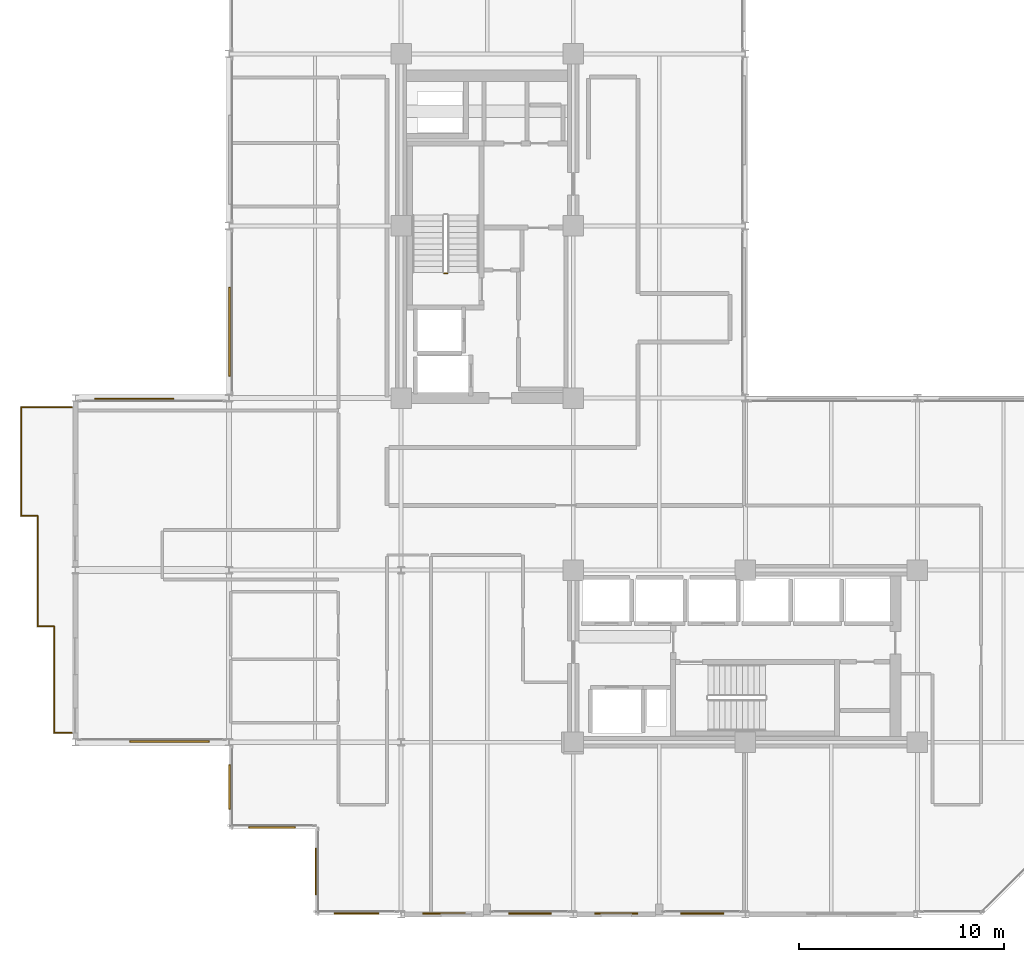
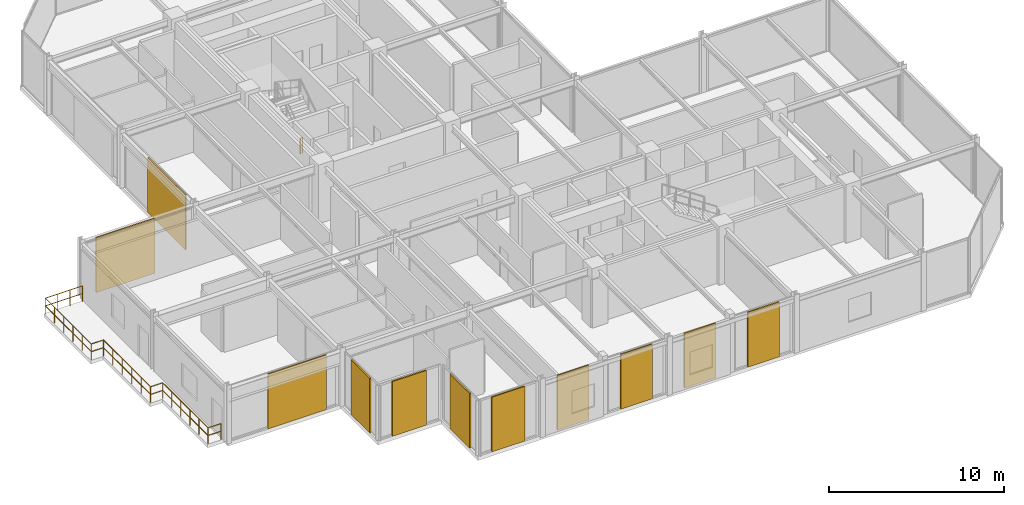
# One storey, part 27 of 29: 11 coverings, 8 railings.
"""IFC4 building model written with IfcOpenShell, lengths in metres."""

import ifcopenshell
import ifcopenshell.guid

model = None  # the IFC model being written
_history = None  # IfcOwnerHistory: only IFC2X3 demands one
_inside = {}  # id of a spatial element -> (the spatial element, [elements in it])
_under = {}  # id of a project, library or spatial element -> (it, [spatial elements below it])
_declared = {}  # id of a project -> (the project, [libraries it declares])
_typed = {}  # id of a type object -> (the type object, [elements of that type])
_made_of = {}  # id of a material, layer set ... -> (it, [elements and type objects made of it])


def new_model(schema):
    """Start an empty IFC model of exactly this schema.

    Asked for "IFC4X3", IfcOpenShell would pick the latest addendum, in which some entities
    have other attributes; the version numbers below select the first issue.
    IFC2X3 requires an IfcOwnerHistory on every rooted entity: one is made here for all.
    """
    global model, _history
    if schema == "IFC4X3":
        model = ifcopenshell.file(schema_version=(4, 3, 0, 0))
    else:
        model = ifcopenshell.file(schema=schema)
    _inside.clear()
    _under.clear()
    _declared.clear()
    _typed.clear()
    _made_of.clear()
    _history = None
    if model.schema == "IFC2X3":
        org = make("IfcOrganization", Name="unknown")
        user = make(
            "IfcPersonAndOrganization",
            ThePerson=make("IfcPerson", FamilyName="unknown"),
            TheOrganization=org,
        )
        app = make(
            "IfcApplication",
            ApplicationDeveloper=org,
            Version="unknown",
            ApplicationFullName="unknown",
            ApplicationIdentifier="unknown",
        )
        _history = make(
            "IfcOwnerHistory",
            OwningUser=user,
            OwningApplication=app,
            ChangeAction="ADDED",
            CreationDate=0,
        )
    return model


def make(cls, **values):
    """One entity of the class cls with the attributes given. An attribute that is None is left unset."""
    return model.create_entity(
        cls, **{name: value for name, value in values.items() if value is not None}
    )


def rooted(cls, **values):
    """An entity with a GlobalId (a new one), such as an element, a storey or a relation."""
    return make(cls, GlobalId=ifcopenshell.guid.new(), OwnerHistory=_history, **values)


def si_unit(unit_type, name, prefix=None):
    """IfcSIUnit, for example si_unit("LENGTHUNIT", "METRE", prefix="MILLI")."""
    return make("IfcSIUnit", UnitType=unit_type, Prefix=prefix, Name=name)


def assignment(units):
    """IfcUnitAssignment: the units of a project."""
    return None if units is None else make("IfcUnitAssignment", Units=units)


def point(xyz):
    """IfcCartesianPoint."""
    return None if xyz is None else make("IfcCartesianPoint", Coordinates=xyz)


def direction(xyz):
    """IfcDirection."""
    return None if xyz is None else make("IfcDirection", DirectionRatios=xyz)


def frame(location, z_axis=None, x_axis=None):
    """IfcAxis2Placement3D, a coordinate frame: its origin and axes. An axis left out is left unset."""
    return make(
        "IfcAxis2Placement3D",
        Location=point(location),
        Axis=direction(z_axis),
        RefDirection=direction(x_axis),
    )


def frame_2d(location, x_axis=None):
    """IfcAxis2Placement2D, a coordinate frame in the plane: its origin and x axis."""
    return make(
        "IfcAxis2Placement2D", Location=point(location), RefDirection=direction(x_axis)
    )


def origin():
    """The frame at (0, 0, 0) with its axes left unset."""
    return frame((0.0, 0.0, 0.0))


def origin_2d():
    """The frame at (0, 0) in the plane with its x axis left unset."""
    return frame_2d((0.0, 0.0))


def place(relative_to, where):
    """IfcLocalPlacement: puts the frame where relative to a parent placement (None: the world)."""
    return make(
        "IfcLocalPlacement", PlacementRelTo=relative_to, RelativePlacement=where
    )


def context(
    kind, dimensions, precision=None, world=None, true_north=None, identifier=None
):
    """IfcGeometricRepresentationContext, for example the 3D "Model" context."""
    return make(
        "IfcGeometricRepresentationContext",
        ContextIdentifier=identifier,
        ContextType=kind,
        CoordinateSpaceDimension=dimensions,
        Precision=precision,
        WorldCoordinateSystem=world,
        TrueNorth=true_north,
    )


def subcontext(parent, identifier, kind, view, scale=None):
    """IfcGeometricRepresentationSubContext, for example "Body" below "Model"."""
    return make(
        "IfcGeometricRepresentationSubContext",
        ContextIdentifier=identifier,
        ContextType=kind,
        ParentContext=parent,
        TargetScale=scale,
        TargetView=view,
    )


def project(units=None, contexts=None):
    """IfcProject with its units and contexts."""
    return rooted(
        "IfcProject",
        Name="project",
        RepresentationContexts=contexts,
        UnitsInContext=assignment(units),
    )


def spatial(cls, under=None, at=None, **own):
    """A site, building, storey or space (cls), placed at a placement, below another one or the project."""
    s = rooted(cls, ObjectPlacement=at, **own)
    if under is not None:
        _under.setdefault(under.id(), (under, []))[1].append(s)
    return s


def profile(cls, at=None, kind="AREA", **sizes):
    """A parametric profile (cls). Its sizes go by their IFC names, for example OverallWidth=200.0."""
    return make(cls, ProfileType=kind, Position=at, **sizes)


def rectangle(**sizes):
    """IfcRectangleProfileDef."""
    return profile("IfcRectangleProfileDef", **sizes)


def circle(**sizes):
    """IfcCircleProfileDef."""
    return profile("IfcCircleProfileDef", **sizes)


def extrude(swept, where, along, depth):
    """IfcExtrudedAreaSolid: the profile swept, set in the frame where, extruded along a direction by depth."""
    return make(
        "IfcExtrudedAreaSolid",
        SweptArea=swept,
        Position=where,
        ExtrudedDirection=direction(along),
        Depth=depth,
    )


def shape(context_of_items, identifier, shape_type, items):
    """IfcShapeRepresentation: the items that make up one representation, for example the "Body"."""
    return make(
        "IfcShapeRepresentation",
        ContextOfItems=context_of_items,
        RepresentationIdentifier=identifier,
        RepresentationType=shape_type,
        Items=items,
    )


def material(Name=None, Category=None):
    """IfcMaterial."""
    return make("IfcMaterial", Name=Name, Category=Category)


def layer(
    of_material, thickness, ventilated=None, Name=None, Category=None, Priority=None
):
    """IfcMaterialLayer: one layer of a wall or slab, of a material (None: an air gap)."""
    return make(
        "IfcMaterialLayer",
        Material=of_material,
        LayerThickness=thickness,
        IsVentilated=ventilated,
        Name=Name,
        Category=Category,
        Priority=Priority,
    )


def layer_set(layers, Name=None):
    """IfcMaterialLayerSet."""
    return make("IfcMaterialLayerSet", MaterialLayers=layers, LayerSetName=Name)


def made_of(thing, what):
    """Note that an element or type object is made of a material, layer set ...; save() writes the relation."""
    if what is not None:
        _made_of.setdefault(what.id(), (what, []))[1].append(thing)
    return thing


def type_object(cls, material=None, **own):
    """A type object (cls), such as IfcWallType, which elements share."""
    return made_of(rooted(cls, **own), material)


def element(
    cls,
    number,
    at=None,
    inside=None,
    cuts=None,
    type_object=None,
    material=None,
    context=None,
    identifier="Body",
    shape_type=None,
    held_by="IfcProductDefinitionShape",
    body=None,
    shapes=None,
    **own,
):
    """One element of the class cls, such as IfcWall. Its Tag is "e" and its number.

    at: its placement. inside: the storey or other place that contains it. cuts: it is an
    opening in that element (IfcRelVoidsElement). A single representation is given by context,
    identifier, shape_type and body (its items); several are given by shapes. held_by: the class
    of the entity that holds the representations. save() writes the other relations.
    """
    e = rooted(cls, Tag="e%d" % number, ObjectPlacement=at, **own)
    if body is not None:
        shapes = [shape(context, identifier, shape_type, body)]
    if shapes is not None:
        e.Representation = make(held_by, Representations=shapes)
    if inside is not None:
        _inside.setdefault(inside.id(), (inside, []))[1].append(e)
    if cuts is not None:
        rooted(
            "IfcRelVoidsElement", RelatingBuildingElement=cuts, RelatedOpeningElement=e
        )
    if type_object is not None:
        _typed.setdefault(type_object.id(), (type_object, []))[1].append(e)
    return made_of(e, material)


def aggregate(whole, parts):
    """IfcRelAggregates: a whole, such as a stair, and the parts it consists of."""
    return rooted("IfcRelAggregates", RelatingObject=whole, RelatedObjects=parts)


def save(model, path):
    """Write the relations noted so far, then the file.

    IfcRelAggregates (storeys below a building ...), IfcRelContainedInSpatialStructure (elements
    in a storey), IfcRelDefinesByType, IfcRelAssociatesMaterial and IfcRelDeclares: one each for
    every whole, place, type object, material and project.
    """
    for whole, parts in _under.values():
        aggregate(whole, parts)
    for where, things in _inside.values():
        rooted(
            "IfcRelContainedInSpatialStructure",
            RelatedElements=things,
            RelatingStructure=where,
        )
    for kind, things in _typed.values():
        rooted("IfcRelDefinesByType", RelatedObjects=things, RelatingType=kind)
    for what, things in _made_of.values():
        rooted("IfcRelAssociatesMaterial", RelatedObjects=things, RelatingMaterial=what)
    for by, libraries in _declared.values():
        rooted("IfcRelDeclares", RelatingContext=by, RelatedDefinitions=libraries)
    model.write(path)


model = new_model("IFC4")

# Units and contexts
model_context = context("Model", 3, precision=1e-05, world=origin(), true_north=direction((0.0, 1.0)))
body_context = subcontext(model_context, "Body", "Model", "MODEL_VIEW")
ifc_project = project(units=[si_unit("LENGTHUNIT", "METRE"), si_unit("AREAUNIT", "SQUARE_METRE"), si_unit("VOLUMEUNIT", "CUBIC_METRE"), si_unit("PLANEANGLEUNIT", "RADIAN"), si_unit("MASSUNIT", "GRAM", prefix="KILO")], contexts=[model_context])

# Site, building, storey
site_placement = place(None, origin())
site = spatial("IfcSite", under=ifc_project, at=site_placement, CompositionType="ELEMENT")
building_placement = place(site_placement, origin())
building = spatial("IfcBuilding", under=site, at=building_placement, Name="Nerrivon Quay Data Exchange", CompositionType="ELEMENT")
storey_placement = place(building_placement, frame((0.0, 0.0, 183.699951171875)))
storey = spatial("IfcBuildingStorey", under=building, at=storey_placement, Name="L43", CompositionType="ELEMENT", Elevation=183.699951171875)

# Coverings
ifc_material_1 = material(Name="Architectural terracotta ceramic", Category="masonry")
ifc_layer = layer(ifc_material_1, 0.090087890625)
ifc_layer_set = layer_set([ifc_layer], Name="Architectural terracotta ceramic")
covering_type = type_object("IfcCoveringType", Name="COV-SCR-TERR", PredefinedType="CLADDING", material=ifc_layer_set)
covering_1_placement = place(storey_placement, frame((-4.6201171875, 25.155029296875, 0.0), z_axis=(0.0, 0.0, 1.0), x_axis=(1.0, 0.0, 0.0)))
element("IfcCovering", 1, at=covering_1_placement, inside=storey, type_object=covering_type, Name="L43 Perforated Terracotta SOLAR SCREEN Cassette", PredefinedType="CLADDING", context=body_context, shape_type="SweptSolid", body=[
    extrude(rectangle(XDim=3.8720703125, YDim=0.090087890625, at=origin_2d()), origin(), (0.0, 0.0, 1.0), 3.824951171875),
])
covering_2_placement = place(storey_placement, frame((0.044921875, 28.43408203125, 0.0), z_axis=(0.0, 0.0, 1.0), x_axis=(0.0, 1.0, 0.0)))
element("IfcCovering", 2, at=covering_2_placement, inside=storey, type_object=covering_type, Name="L43 Perforated Terracotta SOLAR SCREEN Cassette", PredefinedType="CLADDING", context=body_context, shape_type="SweptSolid", body=[
    extrude(rectangle(XDim=4.346923828125, YDim=0.090087890625, at=origin_2d()), origin(), (0.0, 0.0, 1.0), 3.824951171875),
])
for number, where, z_axis, x_axis, name in (
    (3, (23.10009765625, 0.044921875, 0.0), (0.0, 0.0, 1.0), (-1.0, 0.0, 0.0), "L43 Perforated Terracotta SOLAR SCREEN Cassette"),
    (4, (18.89990234375, 0.044921875, 0.0), (0.0, 0.0, 1.0), (-1.0, 0.0, 0.0), "L43 Perforated Terracotta SOLAR SCREEN Cassette"),
    (5, (14.699951171875, 0.044921875, 0.0), (0.0, 0.0, 1.0), (-1.0, 0.0, 0.0), "L43 Perforated Terracotta SOLAR SCREEN Cassette"),
    (6, (10.5, 0.044921875, 0.0), (0.0, 0.0, 1.0), (-1.0, 0.0, 0.0), "L43 Perforated Terracotta SOLAR SCREEN Cassette"),
):
    element("IfcCovering", number, at=place(storey_placement, frame(where, z_axis=z_axis, x_axis=x_axis)), inside=storey, type_object=covering_type, Name=name, PredefinedType="CLADDING", context=body_context, shape_type="SweptSolid", body=[
        extrude(rectangle(XDim=2.0791015625, YDim=0.090087890625, at=origin_2d()), origin(), (0.0, 0.0, 1.0), 3.824951171875),
    ])
covering_3_placement = place(storey_placement, frame((6.21240234375, 0.044921875, 0.0), z_axis=(0.0, 0.0, 1.0), x_axis=(-1.0, 0.0, 0.0)))
element("IfcCovering", 7, at=covering_3_placement, inside=storey, type_object=covering_type, Name="L43 Perforated Terracotta SOLAR SCREEN Cassette", PredefinedType="CLADDING", context=body_context, shape_type="SweptSolid", body=[
    extrude(rectangle(XDim=2.173095703125, YDim=0.090087890625, at=origin_2d()), origin(), (0.0, 0.0, 1.0), 3.824951171875),
])
for number, where, z_axis, x_axis, name in (
    (8, (4.2451171875, 2.10009765625, 0.0), (0.0, 0.0, 1.0), (0.0, 1.0, 0.0), "L43 Perforated Terracotta SOLAR SCREEN Cassette"),
    (9, (2.10009765625, 4.2451171875, 0.0), (0.0, 0.0, 1.0), (-1.0, 0.0, 0.0), "L43 Perforated Terracotta SOLAR SCREEN Cassette"),
):
    element("IfcCovering", number, at=place(storey_placement, frame(where, z_axis=z_axis, x_axis=x_axis)), inside=storey, type_object=covering_type, Name=name, PredefinedType="CLADDING", context=body_context, shape_type="SweptSolid", body=[
        extrude(rectangle(XDim=2.26806640625, YDim=0.090087890625, at=origin_2d()), origin(), (0.0, 0.0, 1.0), 3.824951171875),
    ])
covering_4_placement = place(storey_placement, frame((0.044921875, 6.21240234375, 0.0), z_axis=(0.0, 0.0, 1.0), x_axis=(0.0, 1.0, 0.0)))
element("IfcCovering", 10, at=covering_4_placement, inside=storey, type_object=covering_type, Name="L43 Perforated Terracotta SOLAR SCREEN Cassette", PredefinedType="CLADDING", context=body_context, shape_type="SweptSolid", body=[
    extrude(rectangle(XDim=2.173095703125, YDim=0.090087890625, at=origin_2d()), origin(), (0.0, 0.0, 1.0), 3.824951171875),
])
covering_5_placement = place(storey_placement, frame((-2.8994140625, 8.445068359375, 0.0), z_axis=(0.0, 0.0, 1.0), x_axis=(-1.0, 0.0, 0.0)))
element("IfcCovering", 11, at=covering_5_placement, inside=storey, type_object=covering_type, Name="L43 Perforated Terracotta SOLAR SCREEN Cassette", PredefinedType="CLADDING", context=body_context, shape_type="SweptSolid", body=[
    extrude(rectangle(XDim=3.8720703125, YDim=0.090087890625, at=origin_2d()), origin(), (0.0, 0.0, 1.0), 3.824951171875),
])

# Railings
ifc_material_2 = material(Name="Steel Grade C350L0 (350 MPa)", Category="steel")
railing_type_1 = type_object("IfcRailingType", Name="RAIL-GUARD-GR2", PredefinedType="BALUSTRADE", material=ifc_material_2)
railing_1_placement = place(storey_placement, frame((-7.679931640625, 8.860107421875, 0.0)))
element("IfcRailing", 12, at=railing_1_placement, inside=storey, type_object=railing_type_1, Name="L43 Verandah Balcony Guard 1.1 1", PredefinedType="BALUSTRADE", context=body_context, shape_type="SweptSolid", body=[
    extrude(circle(Radius=0.02392578125, at=origin_2d()), frame((0.0, 0.0, 1.09619140625), z_axis=(-1.0, 0.0, 0.0), x_axis=(0.0, -1.0, 0.0)), (0.0, 0.0, 1.0), 0.860107421875),
    extrude(circle(Radius=0.02392578125, at=origin_2d()), frame((0.0, 0.0, 0.56005859375), z_axis=(-1.0, 0.0, 0.0), x_axis=(0.0, -1.0, 0.0)), (0.0, 0.0, 1.0), 0.860107421875),
    extrude(circle(Radius=0.02099609375, at=origin_2d()), origin(), (0.0, 0.0, 1.0), 1.072021484375),
    extrude(circle(Radius=0.02099609375, at=origin_2d()), frame((-0.860107421875, 0.0, 0.0)), (0.0, 0.0, 1.0), 1.072021484375),
])
railing_2_placement = place(storey_placement, frame((-8.5400390625, 8.860107421875, 0.0)))
element("IfcRailing", 13, at=railing_2_placement, inside=storey, type_object=railing_type_1, Name="L43 Verandah Balcony Guard 1.2 1", PredefinedType="BALUSTRADE", context=body_context, shape_type="SweptSolid", body=[
    extrude(circle(Radius=0.02392578125, at=origin_2d()), frame((0.0, 0.0, 1.09619140625), z_axis=(0.0, 1.0, 0.0), x_axis=(-1.0, 0.0, 0.0)), (0.0, 0.0, 1.0), 5.199951171875),
    extrude(circle(Radius=0.02392578125, at=origin_2d()), frame((0.0, 0.0, 0.56005859375), z_axis=(0.0, 1.0, 0.0), x_axis=(-1.0, 0.0, 0.0)), (0.0, 0.0, 1.0), 5.199951171875),
    extrude(circle(Radius=0.02099609375, at=origin_2d()), origin(), (0.0, 0.0, 1.0), 1.072021484375),
    extrude(circle(Radius=0.02099609375, at=origin_2d()), frame((0.0, 1.0400390625, 0.0)), (0.0, 0.0, 1.0), 1.072021484375),
    extrude(circle(Radius=0.02099609375, at=origin_2d()), frame((0.0, 2.080078125, 0.0)), (0.0, 0.0, 1.0), 1.072021484375),
    extrude(circle(Radius=0.02099609375, at=origin_2d()), frame((0.0, 3.119873046875, 0.0)), (0.0, 0.0, 1.0), 1.072021484375),
    extrude(circle(Radius=0.02099609375, at=origin_2d()), frame((0.0, 4.159912109375, 0.0)), (0.0, 0.0, 1.0), 1.072021484375),
    extrude(circle(Radius=0.02099609375, at=origin_2d()), frame((0.0, 5.199951171875, 0.0)), (0.0, 0.0, 1.0), 1.072021484375),
])
railing_3_placement = place(storey_placement, frame((-8.5400390625, 14.06005859375, 0.0)))
element("IfcRailing", 14, at=railing_3_placement, inside=storey, type_object=railing_type_1, Name="L43 Verandah Balcony Guard 1.3 1", PredefinedType="BALUSTRADE", context=body_context, shape_type="SweptSolid", body=[
    extrude(circle(Radius=0.02392578125, at=origin_2d()), frame((0.0, 0.0, 1.09619140625), z_axis=(-1.0, 0.0, 0.0), x_axis=(0.0, -1.0, 0.0)), (0.0, 0.0, 1.0), 0.800048828125),
    extrude(circle(Radius=0.02392578125, at=origin_2d()), frame((0.0, 0.0, 0.56005859375), z_axis=(-1.0, 0.0, 0.0), x_axis=(0.0, -1.0, 0.0)), (0.0, 0.0, 1.0), 0.800048828125),
    extrude(circle(Radius=0.02099609375, at=origin_2d()), origin(), (0.0, 0.0, 1.0), 1.072021484375),
    extrude(circle(Radius=0.02099609375, at=origin_2d()), frame((-0.800048828125, 0.0, 0.0)), (0.0, 0.0, 1.0), 1.072021484375),
])
railing_4_placement = place(storey_placement, frame((-9.340087890625, 14.06005859375, 0.0)))
element("IfcRailing", 15, at=railing_4_placement, inside=storey, type_object=railing_type_1, Name="L43 Verandah Balcony Guard 1.4 1", PredefinedType="BALUSTRADE", context=body_context, shape_type="SweptSolid", body=[
    extrude(circle(Radius=0.02392578125, at=origin_2d()), frame((0.0, 0.0, 1.09619140625), z_axis=(0.0, 1.0, 0.0), x_axis=(-1.0, 0.0, 0.0)), (0.0, 0.0, 1.0), 5.39990234375),
    extrude(circle(Radius=0.02392578125, at=origin_2d()), frame((0.0, 0.0, 0.56005859375), z_axis=(0.0, 1.0, 0.0), x_axis=(-1.0, 0.0, 0.0)), (0.0, 0.0, 1.0), 5.39990234375),
    extrude(circle(Radius=0.02099609375, at=origin_2d()), origin(), (0.0, 0.0, 1.0), 1.072021484375),
    extrude(circle(Radius=0.02099609375, at=origin_2d()), frame((0.0, 1.080078125, 0.0)), (0.0, 0.0, 1.0), 1.072021484375),
    extrude(circle(Radius=0.02099609375, at=origin_2d()), frame((0.0, 2.159912109375, 0.0)), (0.0, 0.0, 1.0), 1.072021484375),
    extrude(circle(Radius=0.02099609375, at=origin_2d()), frame((0.0, 3.239990234375, 0.0)), (0.0, 0.0, 1.0), 1.072021484375),
    extrude(circle(Radius=0.02099609375, at=origin_2d()), frame((0.0, 4.31982421875, 0.0)), (0.0, 0.0, 1.0), 1.072021484375),
    extrude(circle(Radius=0.02099609375, at=origin_2d()), frame((0.0, 5.39990234375, 0.0)), (0.0, 0.0, 1.0), 1.072021484375),
])
railing_5_placement = place(storey_placement, frame((-9.340087890625, 19.4599609375, 0.0)))
element("IfcRailing", 16, at=railing_5_placement, inside=storey, type_object=railing_type_1, Name="L43 Verandah Balcony Guard 1.5 1", PredefinedType="BALUSTRADE", context=body_context, shape_type="SweptSolid", body=[
    extrude(circle(Radius=0.02392578125, at=origin_2d()), frame((0.0, 0.0, 1.09619140625), z_axis=(-1.0, 0.0, 0.0), x_axis=(0.0, -1.0, 0.0)), (0.0, 0.0, 1.0), 0.7998046875),
    extrude(circle(Radius=0.02392578125, at=origin_2d()), frame((0.0, 0.0, 0.56005859375), z_axis=(-1.0, 0.0, 0.0), x_axis=(0.0, -1.0, 0.0)), (0.0, 0.0, 1.0), 0.7998046875),
    extrude(circle(Radius=0.02099609375, at=origin_2d()), origin(), (0.0, 0.0, 1.0), 1.072021484375),
    extrude(circle(Radius=0.02099609375, at=origin_2d()), frame((-0.7998046875, 0.0, 0.0)), (0.0, 0.0, 1.0), 1.072021484375),
])
railing_6_placement = place(storey_placement, frame((-10.139892578125, 19.4599609375, 0.0)))
element("IfcRailing", 17, at=railing_6_placement, inside=storey, type_object=railing_type_1, Name="L43 Verandah Balcony Guard 1.6 1", PredefinedType="BALUSTRADE", context=body_context, shape_type="SweptSolid", body=[
    extrude(circle(Radius=0.02392578125, at=origin_2d()), frame((0.0, 0.0, 1.09619140625), z_axis=(0.0, 1.0, 0.0), x_axis=(-1.0, 0.0, 0.0)), (0.0, 0.0, 1.0), 5.280029296875),
    extrude(circle(Radius=0.02392578125, at=origin_2d()), frame((0.0, 0.0, 0.56005859375), z_axis=(0.0, 1.0, 0.0), x_axis=(-1.0, 0.0, 0.0)), (0.0, 0.0, 1.0), 5.280029296875),
    extrude(circle(Radius=0.02099609375, at=origin_2d()), origin(), (0.0, 0.0, 1.0), 1.072021484375),
    extrude(circle(Radius=0.02099609375, at=origin_2d()), frame((0.0, 1.055908203125, 0.0)), (0.0, 0.0, 1.0), 1.072021484375),
    extrude(circle(Radius=0.02099609375, at=origin_2d()), frame((0.0, 2.112060546875, 0.0)), (0.0, 0.0, 1.0), 1.072021484375),
    extrude(circle(Radius=0.02099609375, at=origin_2d()), frame((0.0, 3.16796875, 0.0)), (0.0, 0.0, 1.0), 1.072021484375),
    extrude(circle(Radius=0.02099609375, at=origin_2d()), frame((0.0, 4.22412109375, 0.0)), (0.0, 0.0, 1.0), 1.072021484375),
    extrude(circle(Radius=0.02099609375, at=origin_2d()), frame((0.0, 5.280029296875, 0.0)), (0.0, 0.0, 1.0), 1.072021484375),
])
railing_7_placement = place(storey_placement, frame((-10.139892578125, 24.739990234375, 0.0)))
element("IfcRailing", 18, at=railing_7_placement, inside=storey, type_object=railing_type_1, Name="L43 Verandah Balcony Guard 1.7 1", PredefinedType="BALUSTRADE", context=body_context, shape_type="SweptSolid", body=[
    extrude(circle(Radius=0.02392578125, at=origin_2d()), frame((0.0, 0.0, 1.09619140625), z_axis=(1.0, 0.0, 0.0), x_axis=(0.0, 1.0, 0.0)), (0.0, 0.0, 1.0), 2.4599609375),
    extrude(circle(Radius=0.02392578125, at=origin_2d()), frame((0.0, 0.0, 0.56005859375), z_axis=(1.0, 0.0, 0.0), x_axis=(0.0, 1.0, 0.0)), (0.0, 0.0, 1.0), 2.4599609375),
    extrude(circle(Radius=0.02099609375, at=origin_2d()), origin(), (0.0, 0.0, 1.0), 1.072021484375),
    extrude(circle(Radius=0.02099609375, at=origin_2d()), frame((0.820068359375, 0.0, 0.0)), (0.0, 0.0, 1.0), 1.072021484375),
    extrude(circle(Radius=0.02099609375, at=origin_2d()), frame((1.639892578125, 0.0, 0.0)), (0.0, 0.0, 1.0), 1.072021484375),
    extrude(circle(Radius=0.02099609375, at=origin_2d()), frame((2.4599609375, 0.0, 0.0)), (0.0, 0.0, 1.0), 1.072021484375),
])
railing_type_2 = type_object("IfcRailingType", Name="RAIL-STAIR-GR1", PredefinedType="BALUSTRADE", material=ifc_material_2)
railing_8_placement = place(storey_placement, frame((10.64990234375, 31.280029296875, 0.0)))
element("IfcRailing", 19, at=railing_8_placement, inside=storey, type_object=railing_type_2, Name="L43 ST01 stair guard 4", PredefinedType="BALUSTRADE", context=body_context, shape_type="SweptSolid", body=[
    extrude(circle(Radius=0.02392578125, at=origin_2d()), frame((0.0, 0.0, 1.076171875), z_axis=(-1.0, 0.0, 0.0), x_axis=(0.0, -1.0, 0.0)), (0.0, 0.0, 1.0), 0.14990234375),
    extrude(circle(Radius=0.02392578125, at=origin_2d()), frame((0.0, 0.0, 0.550048828125), z_axis=(-1.0, 0.0, 0.0), x_axis=(0.0, -1.0, 0.0)), (0.0, 0.0, 1.0), 0.14990234375),
    extrude(circle(Radius=0.02099609375, at=origin_2d()), origin(), (0.0, 0.0, 1.0), 1.052001953125),
    extrude(circle(Radius=0.02099609375, at=origin_2d()), frame((-0.14990234375, 0.0, 0.0)), (0.0, 0.0, 1.0), 1.052001953125),
])

save(model, "model.ifc")
